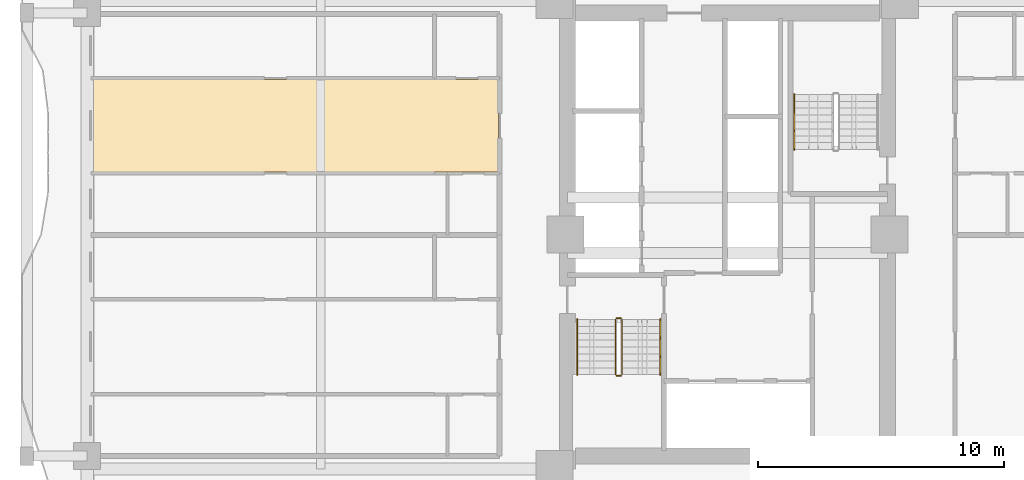
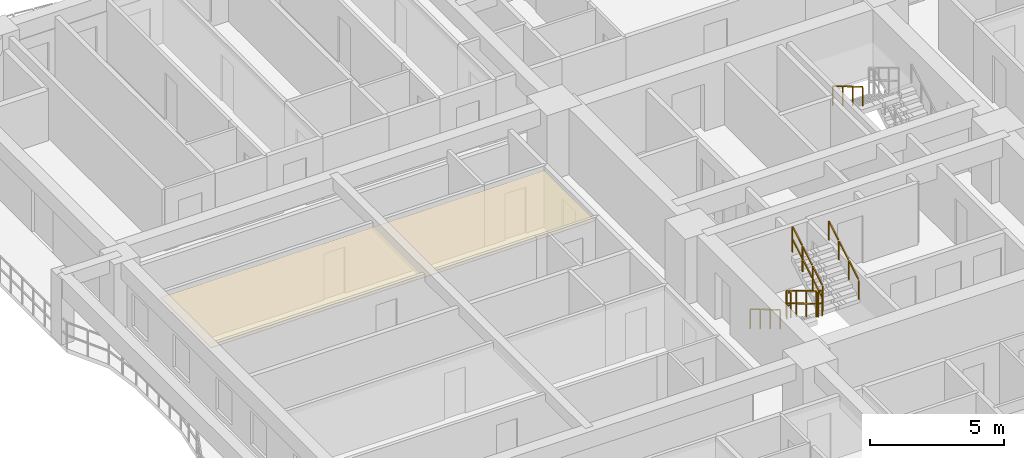
# One storey, part 12 of 15: 7 railings, 1 covering.
"""IFC4 building model written with IfcOpenShell, lengths in metres."""

import ifcopenshell
import ifcopenshell.guid

model = None  # the IFC model being written
_history = None  # IfcOwnerHistory: only IFC2X3 demands one
_inside = {}  # id of a spatial element -> (the spatial element, [elements in it])
_under = {}  # id of a project, library or spatial element -> (it, [spatial elements below it])
_declared = {}  # id of a project -> (the project, [libraries it declares])
_typed = {}  # id of a type object -> (the type object, [elements of that type])
_made_of = {}  # id of a material, layer set ... -> (it, [elements and type objects made of it])


def new_model(schema):
    """Start an empty IFC model of exactly this schema.

    Asked for "IFC4X3", IfcOpenShell would pick the latest addendum, in which some entities
    have other attributes; the version numbers below select the first issue.
    IFC2X3 requires an IfcOwnerHistory on every rooted entity: one is made here for all.
    """
    global model, _history
    if schema == "IFC4X3":
        model = ifcopenshell.file(schema_version=(4, 3, 0, 0))
    else:
        model = ifcopenshell.file(schema=schema)
    _inside.clear()
    _under.clear()
    _declared.clear()
    _typed.clear()
    _made_of.clear()
    _history = None
    if model.schema == "IFC2X3":
        org = make("IfcOrganization", Name="unknown")
        user = make(
            "IfcPersonAndOrganization",
            ThePerson=make("IfcPerson", FamilyName="unknown"),
            TheOrganization=org,
        )
        app = make(
            "IfcApplication",
            ApplicationDeveloper=org,
            Version="unknown",
            ApplicationFullName="unknown",
            ApplicationIdentifier="unknown",
        )
        _history = make(
            "IfcOwnerHistory",
            OwningUser=user,
            OwningApplication=app,
            ChangeAction="ADDED",
            CreationDate=0,
        )
    return model


def make(cls, **values):
    """One entity of the class cls with the attributes given. An attribute that is None is left unset."""
    return model.create_entity(
        cls, **{name: value for name, value in values.items() if value is not None}
    )


def rooted(cls, **values):
    """An entity with a GlobalId (a new one), such as an element, a storey or a relation."""
    return make(cls, GlobalId=ifcopenshell.guid.new(), OwnerHistory=_history, **values)


def si_unit(unit_type, name, prefix=None):
    """IfcSIUnit, for example si_unit("LENGTHUNIT", "METRE", prefix="MILLI")."""
    return make("IfcSIUnit", UnitType=unit_type, Prefix=prefix, Name=name)


def assignment(units):
    """IfcUnitAssignment: the units of a project."""
    return None if units is None else make("IfcUnitAssignment", Units=units)


def point(xyz):
    """IfcCartesianPoint."""
    return None if xyz is None else make("IfcCartesianPoint", Coordinates=xyz)


def direction(xyz):
    """IfcDirection."""
    return None if xyz is None else make("IfcDirection", DirectionRatios=xyz)


def frame(location, z_axis=None, x_axis=None):
    """IfcAxis2Placement3D, a coordinate frame: its origin and axes. An axis left out is left unset."""
    return make(
        "IfcAxis2Placement3D",
        Location=point(location),
        Axis=direction(z_axis),
        RefDirection=direction(x_axis),
    )


def frame_2d(location, x_axis=None):
    """IfcAxis2Placement2D, a coordinate frame in the plane: its origin and x axis."""
    return make(
        "IfcAxis2Placement2D", Location=point(location), RefDirection=direction(x_axis)
    )


def origin():
    """The frame at (0, 0, 0) with its axes left unset."""
    return frame((0.0, 0.0, 0.0))


def origin_2d():
    """The frame at (0, 0) in the plane with its x axis left unset."""
    return frame_2d((0.0, 0.0))


def place(relative_to, where):
    """IfcLocalPlacement: puts the frame where relative to a parent placement (None: the world)."""
    return make(
        "IfcLocalPlacement", PlacementRelTo=relative_to, RelativePlacement=where
    )


def context(
    kind, dimensions, precision=None, world=None, true_north=None, identifier=None
):
    """IfcGeometricRepresentationContext, for example the 3D "Model" context."""
    return make(
        "IfcGeometricRepresentationContext",
        ContextIdentifier=identifier,
        ContextType=kind,
        CoordinateSpaceDimension=dimensions,
        Precision=precision,
        WorldCoordinateSystem=world,
        TrueNorth=true_north,
    )


def subcontext(parent, identifier, kind, view, scale=None):
    """IfcGeometricRepresentationSubContext, for example "Body" below "Model"."""
    return make(
        "IfcGeometricRepresentationSubContext",
        ContextIdentifier=identifier,
        ContextType=kind,
        ParentContext=parent,
        TargetScale=scale,
        TargetView=view,
    )


def project(units=None, contexts=None):
    """IfcProject with its units and contexts."""
    return rooted(
        "IfcProject",
        Name="project",
        RepresentationContexts=contexts,
        UnitsInContext=assignment(units),
    )


def spatial(cls, under=None, at=None, **own):
    """A site, building, storey or space (cls), placed at a placement, below another one or the project."""
    s = rooted(cls, ObjectPlacement=at, **own)
    if under is not None:
        _under.setdefault(under.id(), (under, []))[1].append(s)
    return s


def polyline(points):
    """IfcPolyline through the points."""
    return make("IfcPolyline", Points=[point(p) for p in points])


def profile(cls, at=None, kind="AREA", **sizes):
    """A parametric profile (cls). Its sizes go by their IFC names, for example OverallWidth=200.0."""
    return make(cls, ProfileType=kind, Position=at, **sizes)


def rectangle(**sizes):
    """IfcRectangleProfileDef."""
    return profile("IfcRectangleProfileDef", **sizes)


def outline(outer, holes=None, kind="AREA"):
    """IfcArbitraryClosedProfileDef: a profile drawn as a closed curve; with holes, ...WithVoids."""
    if holes is None:
        return make("IfcArbitraryClosedProfileDef", ProfileType=kind, OuterCurve=outer)
    return make(
        "IfcArbitraryProfileDefWithVoids",
        ProfileType=kind,
        OuterCurve=outer,
        InnerCurves=holes,
    )


def extrude(swept, where, along, depth):
    """IfcExtrudedAreaSolid: the profile swept, set in the frame where, extruded along a direction by depth."""
    return make(
        "IfcExtrudedAreaSolid",
        SweptArea=swept,
        Position=where,
        ExtrudedDirection=direction(along),
        Depth=depth,
    )


def shape(context_of_items, identifier, shape_type, items):
    """IfcShapeRepresentation: the items that make up one representation, for example the "Body"."""
    return make(
        "IfcShapeRepresentation",
        ContextOfItems=context_of_items,
        RepresentationIdentifier=identifier,
        RepresentationType=shape_type,
        Items=items,
    )


def material(Name=None, Category=None):
    """IfcMaterial."""
    return make("IfcMaterial", Name=Name, Category=Category)


def layer(
    of_material, thickness, ventilated=None, Name=None, Category=None, Priority=None
):
    """IfcMaterialLayer: one layer of a wall or slab, of a material (None: an air gap)."""
    return make(
        "IfcMaterialLayer",
        Material=of_material,
        LayerThickness=thickness,
        IsVentilated=ventilated,
        Name=Name,
        Category=Category,
        Priority=Priority,
    )


def layer_set(layers, Name=None):
    """IfcMaterialLayerSet."""
    return make("IfcMaterialLayerSet", MaterialLayers=layers, LayerSetName=Name)


def made_of(thing, what):
    """Note that an element or type object is made of a material, layer set ...; save() writes the relation."""
    if what is not None:
        _made_of.setdefault(what.id(), (what, []))[1].append(thing)
    return thing


def type_object(cls, material=None, **own):
    """A type object (cls), such as IfcWallType, which elements share."""
    return made_of(rooted(cls, **own), material)


def element(
    cls,
    number,
    at=None,
    inside=None,
    cuts=None,
    type_object=None,
    material=None,
    context=None,
    identifier="Body",
    shape_type=None,
    held_by="IfcProductDefinitionShape",
    body=None,
    shapes=None,
    **own,
):
    """One element of the class cls, such as IfcWall. Its Tag is "e" and its number.

    at: its placement. inside: the storey or other place that contains it. cuts: it is an
    opening in that element (IfcRelVoidsElement). A single representation is given by context,
    identifier, shape_type and body (its items); several are given by shapes. held_by: the class
    of the entity that holds the representations. save() writes the other relations.
    """
    e = rooted(cls, Tag="e%d" % number, ObjectPlacement=at, **own)
    if body is not None:
        shapes = [shape(context, identifier, shape_type, body)]
    if shapes is not None:
        e.Representation = make(held_by, Representations=shapes)
    if inside is not None:
        _inside.setdefault(inside.id(), (inside, []))[1].append(e)
    if cuts is not None:
        rooted(
            "IfcRelVoidsElement", RelatingBuildingElement=cuts, RelatedOpeningElement=e
        )
    if type_object is not None:
        _typed.setdefault(type_object.id(), (type_object, []))[1].append(e)
    return made_of(e, material)


def aggregate(whole, parts):
    """IfcRelAggregates: a whole, such as a stair, and the parts it consists of."""
    return rooted("IfcRelAggregates", RelatingObject=whole, RelatedObjects=parts)


def save(model, path):
    """Write the relations noted so far, then the file.

    IfcRelAggregates (storeys below a building ...), IfcRelContainedInSpatialStructure (elements
    in a storey), IfcRelDefinesByType, IfcRelAssociatesMaterial and IfcRelDeclares: one each for
    every whole, place, type object, material and project.
    """
    for whole, parts in _under.values():
        aggregate(whole, parts)
    for where, things in _inside.values():
        rooted(
            "IfcRelContainedInSpatialStructure",
            RelatedElements=things,
            RelatingStructure=where,
        )
    for kind, things in _typed.values():
        rooted("IfcRelDefinesByType", RelatedObjects=things, RelatingType=kind)
    for what, things in _made_of.values():
        rooted("IfcRelAssociatesMaterial", RelatedObjects=things, RelatingMaterial=what)
    for by, libraries in _declared.values():
        rooted("IfcRelDeclares", RelatingContext=by, RelatedDefinitions=libraries)
    model.write(path)


model = new_model("IFC4")

# Units and contexts
model_context = context("Model", 3, precision=1e-05, world=origin(), true_north=direction((0.0, 1.0)))
body_context = subcontext(model_context, "Body", "Model", "MODEL_VIEW")
ifc_project = project(units=[si_unit("LENGTHUNIT", "METRE"), si_unit("AREAUNIT", "SQUARE_METRE"), si_unit("VOLUMEUNIT", "CUBIC_METRE"), si_unit("PLANEANGLEUNIT", "RADIAN"), si_unit("MASSUNIT", "GRAM", prefix="KILO")], contexts=[model_context])

# Site, building, storey
site_placement = place(None, origin())
site = spatial("IfcSite", under=ifc_project, at=site_placement, CompositionType="ELEMENT")
building_placement = place(site_placement, origin())
building = spatial("IfcBuilding", under=site, at=building_placement, Name="Saelheon Loggia Tower", CompositionType="ELEMENT")
storey_placement = place(building_placement, frame((0.0, 0.0, 46.39990234375)))
storey = spatial("IfcBuildingStorey", under=building, at=storey_placement, Name="L14", CompositionType="ELEMENT", Elevation=46.39990234375)

# Covering
ifc_material_1 = material(Name="Mineral-Fibre Acoustic Ceiling Board", Category="gypsum")
ifc_layer = layer(ifc_material_1, 0.02490234375)
ifc_layer_set = layer_set([ifc_layer], Name="Mineral-Fibre Acoustic Ceiling Board")
covering_type = type_object("IfcCoveringType", Name="Cov_Ceiling_Acoustic", PredefinedType="CEILING", material=ifc_layer_set)
covering_placement = place(storey_placement, frame((0.0, 0.0, 2.53515625)))
element("IfcCovering", 1, at=covering_placement, inside=storey, type_object=covering_type, Name="L14 Acoustic Suspended Ceiling", PredefinedType="CEILING", context=body_context, shape_type="SweptSolid", body=[
    extrude(outline(polyline([(12.199951171875, 29.5380859375), (28.699951171875, 29.5380859375), (28.699951171875, 33.300048828125), (12.199951171875, 33.300048828125), (12.199951171875, 29.5380859375)])), origin(), (0.0, 0.0, 1.0), 0.02490234375),
])

# Railings
ifc_material_2 = material(Name="Galvanised Steel S275 Stairwell Guardrail", Category="steel")
railing_type_1 = type_object("IfcRailingType", Name="Guard_StairWell_RL_STG", PredefinedType="GUARDRAIL", material=ifc_material_2)
railing_1_placement = place(storey_placement, frame((33.4599609375, 23.550048828125, 0.166748046875)))
element("IfcRailing", 2, at=railing_1_placement, inside=storey, type_object=railing_type_1, Name="L14 ST1 stair guard 1", PredefinedType="GUARDRAIL", context=body_context, shape_type="SweptSolid", body=[
    extrude(rectangle(XDim=0.048095703125, YDim=0.048095703125, at=origin_2d()), frame((0.0, -0.028564453125, 1.19287109375), z_axis=(0.0, -0.859305625298, 0.511462454469), x_axis=(1.0, 0.0, 0.0)), (0.0, 0.0, 1.0), 0.802490234375),
    extrude(rectangle(XDim=0.048095703125, YDim=0.048095703125, at=origin_2d()), frame((0.0, -0.028564453125, 0.616943359375), z_axis=(0.0, -0.859305625298, 0.511462454469), x_axis=(1.0, 0.0, 0.0)), (0.0, 0.0, 1.0), 0.802490234375),
    extrude(rectangle(XDim=0.048095703125, YDim=0.048095703125, at=origin_2d()), frame((0.0, -0.775146484375, 1.63720703125), z_axis=(0.0, -0.859305625298, 0.511462454469), x_axis=(1.0, 0.0, 0.0)), (0.0, 0.0, 1.0), 0.802490234375),
    extrude(rectangle(XDim=0.048095703125, YDim=0.048095703125, at=origin_2d()), frame((0.0, -0.775146484375, 1.061279296875), z_axis=(0.0, -0.859305625298, 0.511462454469), x_axis=(1.0, 0.0, 0.0)), (0.0, 0.0, 1.0), 0.802490234375),
    extrude(rectangle(XDim=0.048095703125, YDim=0.048095703125, at=origin_2d()), frame((0.0, -1.52197265625, 2.081787109375), z_axis=(0.0, -0.859305625298, 0.511462454469), x_axis=(1.0, 0.0, 0.0)), (0.0, 0.0, 1.0), 0.802490234375),
    extrude(rectangle(XDim=0.048095703125, YDim=0.048095703125, at=origin_2d()), frame((0.0, -1.52197265625, 1.505859375), z_axis=(0.0, -0.859305625298, 0.511462454469), x_axis=(1.0, 0.0, 0.0)), (0.0, 0.0, 1.0), 0.802490234375),
    extrude(rectangle(XDim=0.0419921875, YDim=0.0419921875, at=origin_2d()), origin(), (0.0, 0.0, 1.0), 1.14794921875),
    extrude(rectangle(XDim=0.0419921875, YDim=0.0419921875, at=origin_2d()), frame((0.0, -0.74658203125, 0.4443359375)), (0.0, 0.0, 1.0), 1.14794921875),
    extrude(rectangle(XDim=0.0419921875, YDim=0.0419921875, at=origin_2d()), frame((0.0, -1.493408203125, 0.888916015625)), (0.0, 0.0, 1.0), 1.14794921875),
    extrude(rectangle(XDim=0.0419921875, YDim=0.0419921875, at=origin_2d()), frame((0.0, -2.239990234375, 1.333251953125)), (0.0, 0.0, 1.0), 1.14794921875),
])
railing_2_placement = place(storey_placement, frame((33.510009765625, 21.260009765625, 1.5)))
element("IfcRailing", 3, at=railing_2_placement, inside=storey, type_object=railing_type_1, Name="L14 ST1 stair guard 2", PredefinedType="GUARDRAIL", context=body_context, shape_type="SweptSolid", body=[
    extrude(rectangle(XDim=0.048095703125, YDim=0.048095703125, at=origin_2d()), frame((0.033203125, 0.0, 1.17578125), z_axis=(1.0, 0.0, 0.0), x_axis=(0.0, 1.0, 0.0)), (0.0, 0.0, 1.0), 0.093505859375),
    extrude(rectangle(XDim=0.048095703125, YDim=0.048095703125, at=origin_2d()), frame((0.033203125, 0.0, 0.60009765625), z_axis=(1.0, 0.0, 0.0), x_axis=(0.0, 1.0, 0.0)), (0.0, 0.0, 1.0), 0.093505859375),
    extrude(rectangle(XDim=0.0419921875, YDim=0.0419921875, at=origin_2d()), origin(), (0.0, 0.0, 1.0), 1.14794921875),
    extrude(rectangle(XDim=0.0419921875, YDim=0.0419921875, at=origin_2d()), frame((0.159912109375, 0.0, 0.0)), (0.0, 0.0, 1.0), 1.14794921875),
])
railing_3_placement = place(storey_placement, frame((33.719970703125, 21.31005859375, 1.666748046875)))
element("IfcRailing", 4, at=railing_3_placement, inside=storey, type_object=railing_type_1, Name="L14 ST1 stair guard 3", PredefinedType="GUARDRAIL", context=body_context, shape_type="SweptSolid", body=[
    extrude(rectangle(XDim=0.048095703125, YDim=0.048095703125, at=origin_2d()), frame((0.0, 0.028564453125, 1.19287109375), z_axis=(0.0, 0.859305625298, 0.511462454469), x_axis=(-1.0, 0.0, 0.0)), (0.0, 0.0, 1.0), 0.802490234375),
    extrude(rectangle(XDim=0.048095703125, YDim=0.048095703125, at=origin_2d()), frame((0.0, 0.028564453125, 0.616943359375), z_axis=(0.0, 0.859305625298, 0.511462454469), x_axis=(-1.0, 0.0, 0.0)), (0.0, 0.0, 1.0), 0.802490234375),
    extrude(rectangle(XDim=0.048095703125, YDim=0.048095703125, at=origin_2d()), frame((0.0, 0.775146484375, 1.63720703125), z_axis=(0.0, 0.859305625298, 0.511462454469), x_axis=(-1.0, 0.0, 0.0)), (0.0, 0.0, 1.0), 0.802490234375),
    extrude(rectangle(XDim=0.048095703125, YDim=0.048095703125, at=origin_2d()), frame((0.0, 0.775146484375, 1.061279296875), z_axis=(0.0, 0.859305625298, 0.511462454469), x_axis=(-1.0, 0.0, 0.0)), (0.0, 0.0, 1.0), 0.802490234375),
    extrude(rectangle(XDim=0.048095703125, YDim=0.048095703125, at=origin_2d()), frame((0.0, 1.52197265625, 2.081787109375), z_axis=(0.0, 0.859305625298, 0.511462454469), x_axis=(-1.0, 0.0, 0.0)), (0.0, 0.0, 1.0), 0.802490234375),
    extrude(rectangle(XDim=0.048095703125, YDim=0.048095703125, at=origin_2d()), frame((0.0, 1.52197265625, 1.505859375), z_axis=(0.0, 0.859305625298, 0.511462454469), x_axis=(-1.0, 0.0, 0.0)), (0.0, 0.0, 1.0), 0.802490234375),
    extrude(rectangle(XDim=0.0419921875, YDim=0.0419921875, at=origin_2d()), origin(), (0.0, 0.0, 1.0), 1.14794921875),
    extrude(rectangle(XDim=0.0419921875, YDim=0.0419921875, at=origin_2d()), frame((0.0, 0.74658203125, 0.4443359375)), (0.0, 0.0, 1.0), 1.14794921875),
    extrude(rectangle(XDim=0.0419921875, YDim=0.0419921875, at=origin_2d()), frame((0.0, 1.493408203125, 0.888916015625)), (0.0, 0.0, 1.0), 1.14794921875),
    extrude(rectangle(XDim=0.0419921875, YDim=0.0419921875, at=origin_2d()), frame((0.0, 2.239990234375, 1.333251953125)), (0.0, 0.0, 1.0), 1.14794921875),
])
railing_4_placement = place(storey_placement, frame((33.510009765625, 23.60009765625, 0.0)))
element("IfcRailing", 5, at=railing_4_placement, inside=storey, type_object=railing_type_1, Name="L14 ST1 stair guard 4", PredefinedType="GUARDRAIL", context=body_context, shape_type="SweptSolid", body=[
    extrude(rectangle(XDim=0.048095703125, YDim=0.048095703125, at=origin_2d()), frame((0.033203125, 0.0, 1.17578125), z_axis=(1.0, 0.0, 0.0), x_axis=(0.0, 1.0, 0.0)), (0.0, 0.0, 1.0), 0.093505859375),
    extrude(rectangle(XDim=0.048095703125, YDim=0.048095703125, at=origin_2d()), frame((0.033203125, 0.0, 0.60009765625), z_axis=(1.0, 0.0, 0.0), x_axis=(0.0, 1.0, 0.0)), (0.0, 0.0, 1.0), 0.093505859375),
    extrude(rectangle(XDim=0.0419921875, YDim=0.0419921875, at=origin_2d()), origin(), (0.0, 0.0, 1.0), 1.14794921875),
    extrude(rectangle(XDim=0.0419921875, YDim=0.0419921875, at=origin_2d()), frame((0.159912109375, 0.0, 0.0)), (0.0, 0.0, 1.0), 1.14794921875),
])
ifc_material_3 = material(Name="Stainless Steel 304 Tubular Handrail", Category="steel")
railing_type_2 = type_object("IfcRailingType", Name="Handrail_Stair_RL_HR1", PredefinedType="HANDRAIL", material=ifc_material_3)
railing_5_placement = place(storey_placement, frame((31.89990234375, 23.550048828125, 0.166748046875)))
element("IfcRailing", 6, at=railing_5_placement, inside=storey, type_object=railing_type_2, Name="L14 ST1 stair handrail 1", PredefinedType="HANDRAIL", context=body_context, shape_type="SweptSolid", body=[
    extrude(rectangle(XDim=0.048095703125, YDim=0.048095703125, at=origin_2d()), frame((0.0, -0.028564453125, 0.892822265625), z_axis=(0.0, -0.859305625298, 0.511462454469), x_axis=(1.0, 0.0, 0.0)), (0.0, 0.0, 1.0), 0.802490234375),
    extrude(rectangle(XDim=0.048095703125, YDim=0.048095703125, at=origin_2d()), frame((0.0, -0.775146484375, 1.337158203125), z_axis=(0.0, -0.859305625298, 0.511462454469), x_axis=(1.0, 0.0, 0.0)), (0.0, 0.0, 1.0), 0.802490234375),
    extrude(rectangle(XDim=0.048095703125, YDim=0.048095703125, at=origin_2d()), frame((0.0, -1.52197265625, 1.78173828125), z_axis=(0.0, -0.859305625298, 0.511462454469), x_axis=(1.0, 0.0, 0.0)), (0.0, 0.0, 1.0), 0.802490234375),
    extrude(rectangle(XDim=0.0419921875, YDim=0.0419921875, at=origin_2d()), origin(), (0.0, 0.0, 1.0), 0.847900390625),
    extrude(rectangle(XDim=0.0419921875, YDim=0.0419921875, at=origin_2d()), frame((0.0, -0.74658203125, 0.4443359375)), (0.0, 0.0, 1.0), 0.847900390625),
    extrude(rectangle(XDim=0.0419921875, YDim=0.0419921875, at=origin_2d()), frame((0.0, -1.493408203125, 0.888916015625)), (0.0, 0.0, 1.0), 0.847900390625),
    extrude(rectangle(XDim=0.0419921875, YDim=0.0419921875, at=origin_2d()), frame((0.0, -2.239990234375, 1.333251953125)), (0.0, 0.0, 1.0), 0.847900390625),
])
railing_6_placement = place(storey_placement, frame((35.280029296875, 21.31005859375, 1.666748046875)))
element("IfcRailing", 7, at=railing_6_placement, inside=storey, type_object=railing_type_2, Name="L14 ST1 stair handrail 2", PredefinedType="HANDRAIL", context=body_context, shape_type="SweptSolid", body=[
    extrude(rectangle(XDim=0.048095703125, YDim=0.048095703125, at=origin_2d()), frame((0.0, 0.028564453125, 0.892822265625), z_axis=(0.0, 0.859305625298, 0.511462454469), x_axis=(-1.0, 0.0, 0.0)), (0.0, 0.0, 1.0), 0.802490234375),
    extrude(rectangle(XDim=0.048095703125, YDim=0.048095703125, at=origin_2d()), frame((0.0, 0.775146484375, 1.337158203125), z_axis=(0.0, 0.859305625298, 0.511462454469), x_axis=(-1.0, 0.0, 0.0)), (0.0, 0.0, 1.0), 0.802490234375),
    extrude(rectangle(XDim=0.048095703125, YDim=0.048095703125, at=origin_2d()), frame((0.0, 1.52197265625, 1.78173828125), z_axis=(0.0, 0.859305625298, 0.511462454469), x_axis=(-1.0, 0.0, 0.0)), (0.0, 0.0, 1.0), 0.802490234375),
    extrude(rectangle(XDim=0.0419921875, YDim=0.0419921875, at=origin_2d()), origin(), (0.0, 0.0, 1.0), 0.847900390625),
    extrude(rectangle(XDim=0.0419921875, YDim=0.0419921875, at=origin_2d()), frame((0.0, 0.74658203125, 0.4443359375)), (0.0, 0.0, 1.0), 0.847900390625),
    extrude(rectangle(XDim=0.0419921875, YDim=0.0419921875, at=origin_2d()), frame((0.0, 1.493408203125, 0.888916015625)), (0.0, 0.0, 1.0), 0.847900390625),
    extrude(rectangle(XDim=0.0419921875, YDim=0.0419921875, at=origin_2d()), frame((0.0, 2.239990234375, 1.333251953125)), (0.0, 0.0, 1.0), 0.847900390625),
])
railing_7_placement = place(storey_placement, frame((40.719970703125, 32.68994140625, 1.666748046875)))
element("IfcRailing", 8, at=railing_7_placement, inside=storey, type_object=railing_type_2, Name="L14 ST2 stair handrail 2", PredefinedType="HANDRAIL", context=body_context, shape_type="SweptSolid", body=[
    extrude(rectangle(XDim=0.048095703125, YDim=0.048095703125, at=origin_2d()), frame((0.0, -0.028564453125, 0.892822265625), z_axis=(0.0, -0.859305625298, 0.511462454469), x_axis=(1.0, 0.0, 0.0)), (0.0, 0.0, 1.0), 0.802490234375),
    extrude(rectangle(XDim=0.048095703125, YDim=0.048095703125, at=origin_2d()), frame((0.0, -0.775146484375, 1.337158203125), z_axis=(0.0, -0.859305625298, 0.511462454469), x_axis=(1.0, 0.0, 0.0)), (0.0, 0.0, 1.0), 0.802490234375),
    extrude(rectangle(XDim=0.048095703125, YDim=0.048095703125, at=origin_2d()), frame((0.0, -1.52197265625, 1.78173828125), z_axis=(0.0, -0.859305625298, 0.511462454469), x_axis=(1.0, 0.0, 0.0)), (0.0, 0.0, 1.0), 0.802490234375),
    extrude(rectangle(XDim=0.0419921875, YDim=0.0419921875, at=origin_2d()), origin(), (0.0, 0.0, 1.0), 0.847900390625),
    extrude(rectangle(XDim=0.0419921875, YDim=0.0419921875, at=origin_2d()), frame((0.0, -0.74658203125, 0.4443359375)), (0.0, 0.0, 1.0), 0.847900390625),
    extrude(rectangle(XDim=0.0419921875, YDim=0.0419921875, at=origin_2d()), frame((0.0, -1.493408203125, 0.888916015625)), (0.0, 0.0, 1.0), 0.847900390625),
    extrude(rectangle(XDim=0.0419921875, YDim=0.0419921875, at=origin_2d()), frame((0.0, -2.239990234375, 1.333251953125)), (0.0, 0.0, 1.0), 0.847900390625),
])

save(model, "model.ifc")
